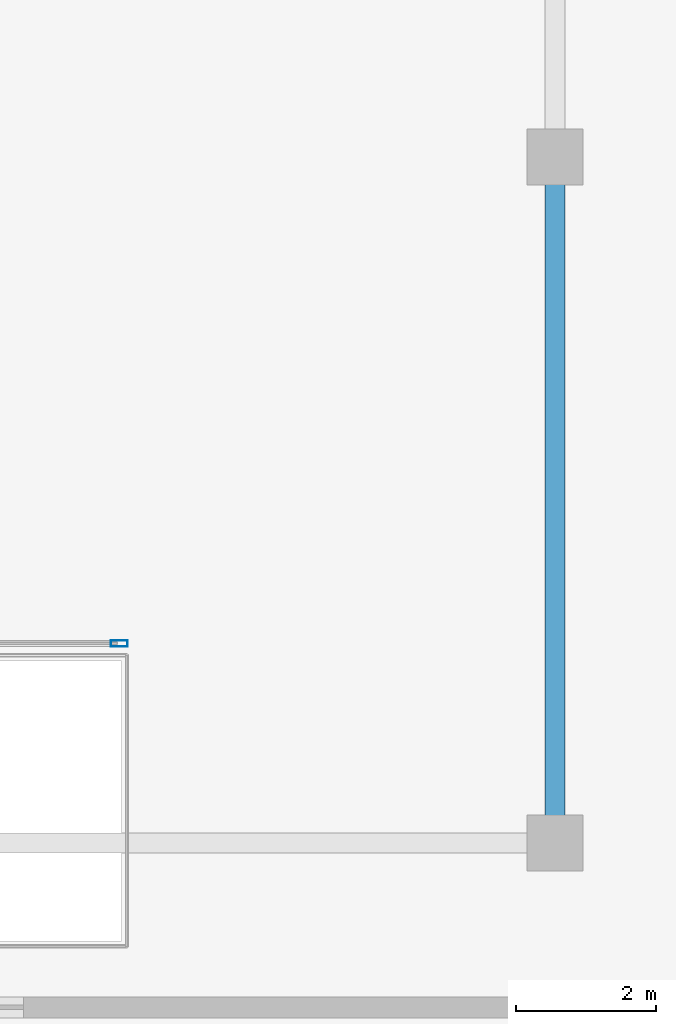
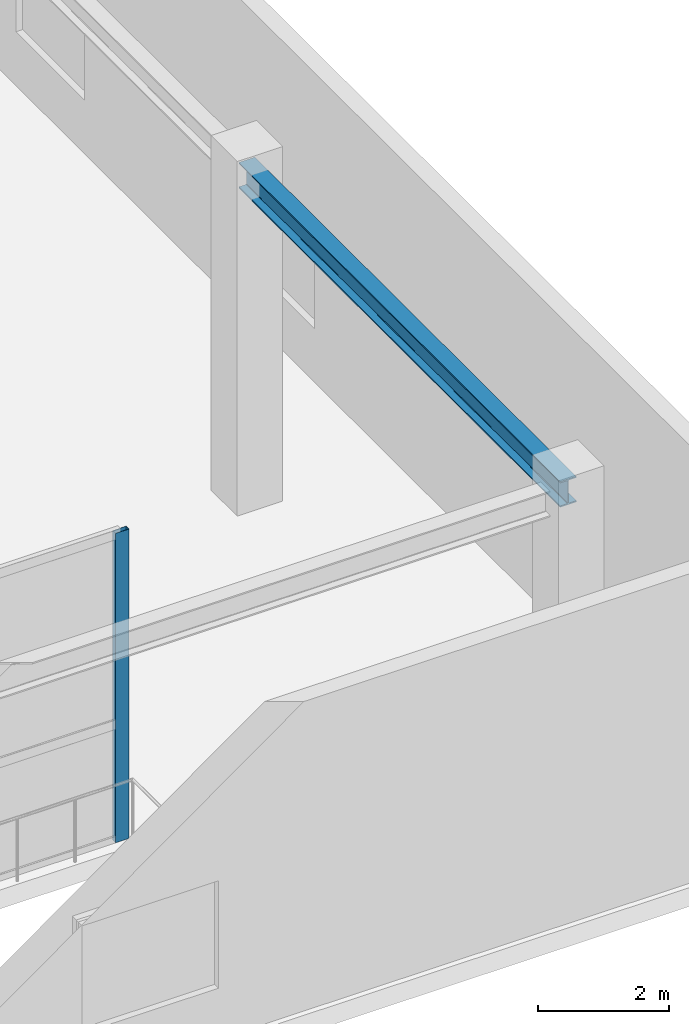
# One storey, part 4 of 16: 1 beam, 1 member, 1 element without a shape of its own.
"""IFC4 building model written with IfcOpenShell, lengths in metres."""

from ifc_helpers import new_model, si_unit, direction, frame, origin, origin_2d, place, context, subcontext, project, spatial, hollow_rectangle, i_section, extrude, material, layer, layer_set, material_profile, profile_set, type_object, element, aggregate, save


model = new_model("IFC4")

# Units and contexts
model_context = context("Model", 3, precision=1e-05, world=origin(), true_north=direction((0.0, 1.0)))
body_context = subcontext(model_context, "Body", "Model", "MODEL_VIEW")
ifc_project = project(units=[si_unit("LENGTHUNIT", "METRE"), si_unit("AREAUNIT", "SQUARE_METRE"), si_unit("VOLUMEUNIT", "CUBIC_METRE"), si_unit("PLANEANGLEUNIT", "RADIAN"), si_unit("MASSUNIT", "GRAM", prefix="KILO")], contexts=[model_context])

# Site, building, storey
site_placement = place(None, origin())
site = spatial("IfcSite", under=ifc_project, at=site_placement, CompositionType="ELEMENT")
building_placement = place(site_placement, origin())
building = spatial("IfcBuilding", under=site, at=building_placement, Name="Bramvorn Convention Spire", CompositionType="ELEMENT")
storey_placement = place(building_placement, frame((0.0, 0.0, 12.0)))
storey = spatial("IfcBuildingStorey", under=building, at=storey_placement, Name="L02", CompositionType="ELEMENT", Elevation=12.0)

# Beam
ifc_material_1 = material(Name="Steel CSA G40.21 Grade 350 (350W)", Category="steel")
ifc_material_profile_1 = material_profile(ifc_material_1, i_section(OverallWidth=0.283935546875, OverallDepth=0.47607421875, WebThickness=0.014892578125, FlangeThickness=0.02392578125, FilletRadius=0.01806640625, at=origin_2d()))
ifc_profile_set_1 = profile_set([ifc_material_profile_1], Name="Steel CSA G40.21 Grade 350 (350W) - W460X158")
beam_type = type_object("IfcBeamType", Name="BM-W460X158", PredefinedType="SPANDREL", material=ifc_profile_set_1)
beam_placement = place(storey_placement, frame((73.199951171875, 2.60009765625, 6.011962890625), z_axis=(0.0, 1.0, 0.0), x_axis=(-1.0, 0.0, 0.0)))
element("IfcBeam", 1, at=beam_placement, inside=storey, type_object=beam_type, Name="L02 podium spandrel beam 05", PredefinedType="SPANDREL", context=body_context, shape_type="SweptSolid", body=[
    extrude(i_section(OverallWidth=0.283935546875, OverallDepth=0.47607421875, WebThickness=0.014892578125, FlangeThickness=0.02392578125, FilletRadius=0.01806640625, at=origin_2d()), origin(), (0.0, 0.0, 1.0), 9.7998046875),
])

# Curtain wall, member
ifc_material_2 = material(Name="Anodised Bronze Unitised Curtain Wall", Category="aluminium")
ifc_layer = layer(ifc_material_2, 0.219970703125)
ifc_layer_set = layer_set([ifc_layer], Name="Anodised Bronze Unitised Curtain Wall - CW-POD-LANCET")
curtain_wall_type = type_object("IfcCurtainWallType", Name="CW-POD-LANCET", PredefinedType="USERDEFINED", material=ifc_layer_set)
curtain_wall_placement = place(storey_placement, origin())
curtain_wall = element("IfcCurtainWall", 2, at=curtain_wall_placement, inside=storey, type_object=curtain_wall_type, Name="L02 SE colonnade lancet curtain wall", ObjectType="UNITISED CURTAIN WALL", PredefinedType="USERDEFINED")
ifc_material_3 = material(Name="Anodised Bronze Aluminium 6063-T6", Category="aluminium")
ifc_material_profile_2 = material_profile(ifc_material_3, hollow_rectangle(XDim=0.090087890625, YDim=0.239990234375, WallThickness=0.00439453125, InnerFilletRadius=0.0009765625, OuterFilletRadius=0.00439453125, at=origin_2d()))
ifc_profile_set_2 = profile_set([ifc_material_profile_2], Name="Anodised Bronze Aluminium 6063-T6 - CWM90X240")
member_type = type_object("IfcMemberType", Name="CW-MUL-220", PredefinedType="MULLION", material=ifc_profile_set_2)
member_placement = place(storey_placement, frame((66.969970703125, 5.449951171875, 0.0), z_axis=(0.0, 0.0, 1.0), x_axis=(0.0, 1.0, 0.0)))
member = element("IfcMember", 3, at=member_placement, type_object=member_type, Name="CW1 mullion 3", PredefinedType="MULLION", context=body_context, shape_type="SweptSolid", body=[
    extrude(hollow_rectangle(XDim=0.090087890625, YDim=0.239990234375, WallThickness=0.00439453125, InnerFilletRadius=0.0009765625, OuterFilletRadius=0.00439453125, at=origin_2d()), origin(), (0.0, 0.0, 1.0), 5.760009765625),
])
aggregate(curtain_wall, [member])

save(model, "model.ifc")
